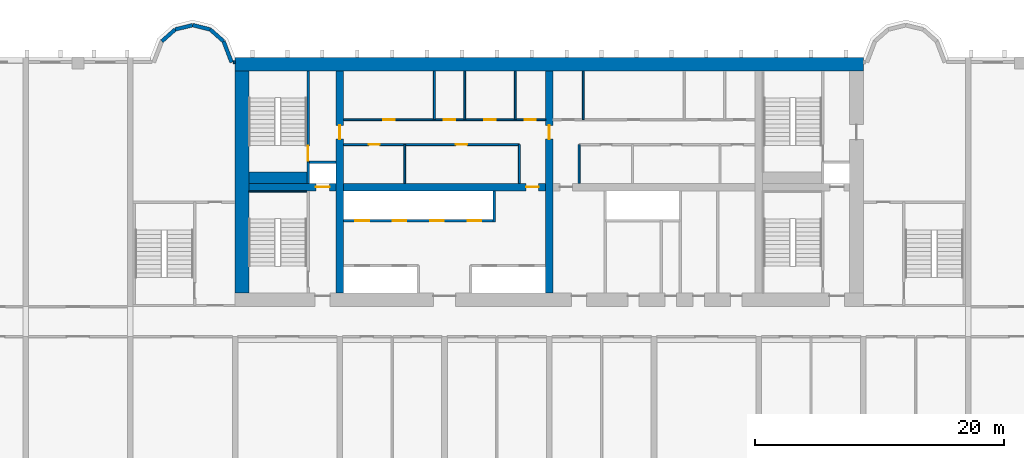
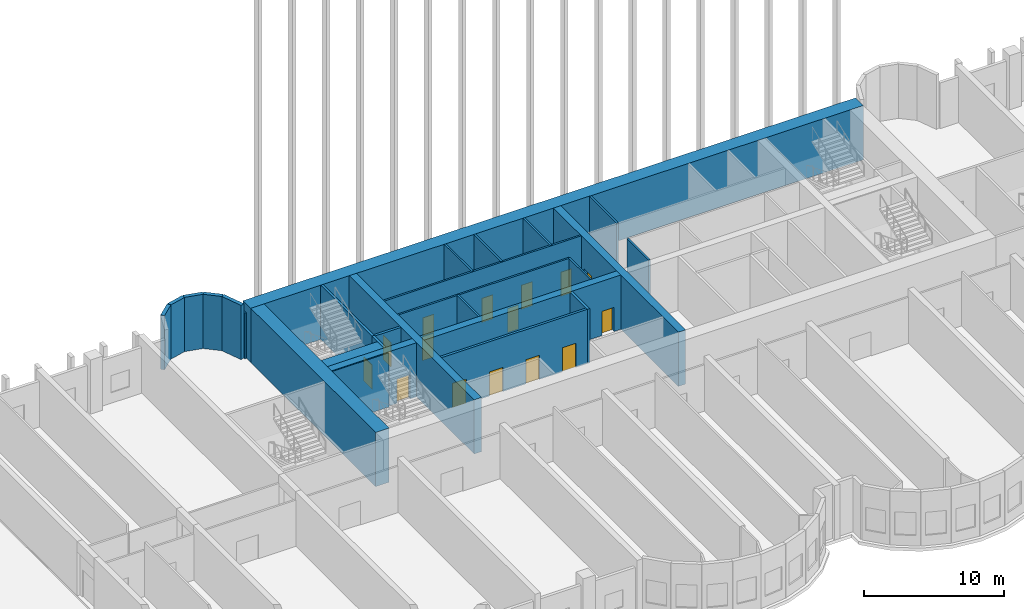
# One storey, part 5 of 11: 28 walls, 15 doors, 15 openings.
"""IFC4 building model written with IfcOpenShell, lengths in metres."""

from ifc_helpers import new_model, si_unit, direction, frame, frame_2d, origin, place, context, subcontext, project, spatial, rectangle, extrude, source, transform, mapped, material, layer, layer_set, type_object, element, fill, save


model = new_model("IFC4")

# Units and contexts
model_context = context("Model", 3, precision=1e-05, world=origin(), true_north=direction((0.0, 1.0)))
body_context = subcontext(model_context, "Body", "Model", "MODEL_VIEW")
ifc_project = project(units=[si_unit("LENGTHUNIT", "METRE"), si_unit("AREAUNIT", "SQUARE_METRE"), si_unit("VOLUMEUNIT", "CUBIC_METRE"), si_unit("PLANEANGLEUNIT", "RADIAN"), si_unit("MASSUNIT", "GRAM", prefix="KILO")], contexts=[model_context])

# Site, building, storey
site_placement = place(None, origin())
site = spatial("IfcSite", under=ifc_project, at=site_placement, CompositionType="ELEMENT")
building_placement = place(site_placement, origin())
building = spatial("IfcBuilding", under=site, at=building_placement, Name="Vanashikhar Sky Hotel", CompositionType="ELEMENT")
storey_placement = place(building_placement, frame((0.0, 0.0, 18.0)))
storey = spatial("IfcBuildingStorey", under=building, at=storey_placement, Name="L03", CompositionType="ELEMENT", Elevation=18.0)

# Walls
ifc_material_1 = material(Name="Concrete M80", Category="concrete")
ifc_layer_1 = layer(ifc_material_1, 1.10009765625)
ifc_layer_set_1 = layer_set([ifc_layer_1], Name="RC core shell wall 1100 Concrete M80")
wall_type_1 = type_object("IfcWallType", Name="RC core shell wall 1100 Concrete M80", PredefinedType="SHEAR", material=ifc_layer_set_1)
shared_shape_1 = source(origin(), body_context, "Body", "SweptSolid", [
    extrude(rectangle(XDim=50.400146484375, YDim=1.10009765625, at=frame_2d((25.2001953125, 0.0))), origin(), (0.0, 0.0, 1.0), 4.719970703125),
])
wall_1_placement = place(storey_placement, frame((25.199951171875, 41.449951171875, 0.0), z_axis=(0.0, 0.0, 1.0), x_axis=(1.0, 0.0, 0.0)))
element("IfcWall", 1, at=wall_1_placement, inside=storey, type_object=wall_type_1, Name="KW-L03-KN", PredefinedType="SHEAR", context=body_context, shape_type="MappedRepresentation", body=[
    mapped(shared_shape_1, transform((0.0, 0.0, 0.0), scale=1.0)),
])
shared_shape_2 = source(origin(), body_context, "Body", "SweptSolid", [
    extrude(rectangle(XDim=17.7998046875, YDim=1.10009765625, at=frame_2d((8.89990234375, 0.0))), origin(), (0.0, 0.0, 1.0), 4.719970703125),
])
wall_2_placement = place(storey_placement, frame((25.75, 23.10009765625, 0.0), z_axis=(0.0, 0.0, 1.0), x_axis=(0.0, 1.0, 0.0)))
element("IfcWall", 2, at=wall_2_placement, inside=storey, type_object=wall_type_1, Name="KW-L03-KW", PredefinedType="SHEAR", context=body_context, shape_type="MappedRepresentation", body=[
    mapped(shared_shape_2, transform((0.0, 0.0, 0.0), scale=1.0)),
])

# Wall, opening, door
ifc_layer_2 = layer(ifc_material_1, 0.60009765625)
ifc_layer_set_2 = layer_set([ifc_layer_2], Name="RC core inner wall 600 Concrete M80")
wall_type_2 = type_object("IfcWallType", Name="RC core inner wall 600 Concrete M80", PredefinedType="SHEAR", material=ifc_layer_set_2)
shared_shape_3 = source(origin(), body_context, "Body", "SweptSolid", [
    extrude(rectangle(XDim=17.7998046875, YDim=0.60009765625, at=frame_2d((8.89990234375, 0.0))), origin(), (0.0, 0.0, 1.0), 4.719970703125),
])
wall_3_placement = place(storey_placement, frame((33.60009765625, 23.10009765625, 0.0), z_axis=(0.0, 0.0, 1.0), x_axis=(0.0, 1.0, 0.0)))
wall_3 = element("IfcWall", 3, at=wall_3_placement, inside=storey, type_object=wall_type_2, Name="KW-L03-KX1", PredefinedType="SHEAR", context=body_context, shape_type="MappedRepresentation", body=[
    mapped(shared_shape_3, transform((0.0, 0.0, 0.0), scale=1.0)),
])
shared_shape_4 = source(origin(), body_context, "Body", "SweptSolid", [
    extrude(rectangle(XDim=1.10009765625, YDim=2.10009765625, at=frame_2d((0.550048828125, 1.050048828125))), frame((0.0, 0.31005859375, 0.0), z_axis=(0.0, -1.0, 0.0), x_axis=(1.0, 0.0, 0.0)), (0.0, 0.0, 1.0), 0.6201171875),
])
opening_1_placement = place(wall_3_placement, frame((12.35009765625, 0.0, 0.0)))
opening_1 = element("IfcOpeningElement", 4, at=opening_1_placement, cuts=wall_3, Name="Opening DC-4-C", PredefinedType="OPENING", context=body_context, shape_type="MappedRepresentation", body=[
    mapped(shared_shape_4, transform((0.0, 0.0, 0.0), scale=1.0)),
])
ifc_material_2 = material(Name="Steel", Category="steel")
door_type_1 = type_object("IfcDoorType", Name="Service door 1100 FD60", OperationType="NOTDEFINED", PredefinedType="DOOR", material=ifc_material_2)
shared_shape_5 = source(origin(), body_context, "Body", "SweptSolid", [
    extrude(rectangle(XDim=1.10009765625, YDim=2.10009765625, at=frame_2d((0.550048828125, 1.050048828125))), frame((0.0, 0.02490234375, 0.0), z_axis=(0.0, -1.0, 0.0), x_axis=(1.0, 0.0, 0.0)), (0.0, 0.0, 1.0), 0.050048828125),
])
door_1_placement = place(opening_1_placement, origin())
door_1 = element("IfcDoor", 5, at=door_1_placement, inside=storey, type_object=door_type_1, Name="Service door 1100 FD60", OperationType="SINGLE_SWING_LEFT", OverallHeight=2.10009765625, OverallWidth=1.10009765625, PredefinedType="DOOR", context=body_context, shape_type="MappedRepresentation", body=[
    mapped(shared_shape_5, transform((0.0, 0.0, 0.0), scale=1.0)),
])
fill(opening_1, door_1)

wall_4_placement = place(storey_placement, frame((50.39990234375, 23.10009765625, 0.0), z_axis=(0.0, 0.0, 1.0), x_axis=(0.0, 1.0, 0.0)))
wall_4 = element("IfcWall", 6, at=wall_4_placement, inside=storey, type_object=wall_type_2, Name="KW-L03-KX2", PredefinedType="SHEAR", context=body_context, shape_type="MappedRepresentation", body=[
    mapped(shared_shape_3, transform((0.0, 0.0, 0.0), scale=1.0)),
])
opening_2_placement = place(wall_4_placement, frame((12.35009765625, 0.0, 0.0)))
opening_2 = element("IfcOpeningElement", 7, at=opening_2_placement, cuts=wall_4, Name="Opening DC-4-C", PredefinedType="OPENING", context=body_context, shape_type="MappedRepresentation", body=[
    mapped(shared_shape_4, transform((0.0, 0.0, 0.0), scale=1.0)),
])
door_2_placement = place(opening_2_placement, origin())
door_2 = element("IfcDoor", 8, at=door_2_placement, inside=storey, type_object=door_type_1, Name="Service door 1100 FD60", OperationType="SINGLE_SWING_RIGHT", OverallHeight=2.10009765625, OverallWidth=1.10009765625, PredefinedType="DOOR", context=body_context, shape_type="MappedRepresentation", body=[
    mapped(shared_shape_5, transform((0.0, 0.0, 0.0), scale=1.0)),
])
fill(opening_2, door_2)

shared_shape_6 = source(origin(), body_context, "Body", "SweptSolid", [
    extrude(rectangle(XDim=7.0, YDim=0.60009765625, at=frame_2d((3.5, 0.0))), origin(), (0.0, 0.0, 1.0), 4.719970703125),
])
wall_5_placement = place(storey_placement, frame((26.300048828125, 31.60009765625, 0.0), z_axis=(0.0, 0.0, 1.0), x_axis=(1.0, 0.0, 0.0)))
wall_5 = element("IfcWall", 9, at=wall_5_placement, inside=storey, type_object=wall_type_2, Name="KW-L03-KY1", PredefinedType="SHEAR", context=body_context, shape_type="MappedRepresentation", body=[
    mapped(shared_shape_6, transform((0.0, 0.0, 0.0), scale=1.0)),
])
opening_3_placement = place(wall_5_placement, frame((5.375, 0.0, 0.0)))
opening_3 = element("IfcOpeningElement", 10, at=opening_3_placement, cuts=wall_5, Name="Opening LD", PredefinedType="OPENING", context=body_context, shape_type="MappedRepresentation", body=[
    mapped(shared_shape_4, transform((0.0, 0.0, 0.0), scale=1.0)),
])
ifc_material_3 = material(Name="Stainless steel", Category="steel")
door_type_2 = type_object("IfcDoorType", Name="Lift landing door 1100", OperationType="NOTDEFINED", PredefinedType="DOOR", material=ifc_material_3)
door_3_placement = place(opening_3_placement, origin())
door_3 = element("IfcDoor", 11, at=door_3_placement, inside=storey, type_object=door_type_2, Name="Lift landing door 1100", OperationType="SLIDING_TO_RIGHT", OverallHeight=2.10009765625, OverallWidth=1.10009765625, PredefinedType="DOOR", context=body_context, shape_type="MappedRepresentation", body=[
    mapped(shared_shape_5, transform((0.0, 0.0, 0.0), scale=1.0)),
])
fill(opening_3, door_3)

shared_shape_7 = source(origin(), body_context, "Body", "SweptSolid", [
    extrude(rectangle(XDim=16.2001953125, YDim=0.60009765625, at=frame_2d((8.10009765625, 0.0))), origin(), (0.0, 0.0, 1.0), 4.719970703125),
])
wall_6_placement = place(storey_placement, frame((33.89990234375, 31.60009765625, 0.0), z_axis=(0.0, 0.0, 1.0), x_axis=(1.0, 0.0, 0.0)))
wall_6 = element("IfcWall", 12, at=wall_6_placement, inside=storey, type_object=wall_type_2, Name="KW-L03-KY2", PredefinedType="SHEAR", context=body_context, shape_type="MappedRepresentation", body=[
    mapped(shared_shape_7, transform((0.0, 0.0, 0.0), scale=1.0)),
])
shared_shape_8 = source(origin(), body_context, "Body", "SweptSolid", [
    extrude(rectangle(XDim=1.0, YDim=2.10009765625, at=frame_2d((0.5, 1.050048828125))), frame((0.0, 0.31005859375, 0.0), z_axis=(0.0, -1.0, 0.0), x_axis=(1.0, 0.0, 0.0)), (0.0, 0.0, 1.0), 0.6201171875),
])
opening_4_placement = place(wall_6_placement, frame((14.64990234375, 0.0, 0.0)))
opening_4 = element("IfcOpeningElement", 13, at=opening_4_placement, cuts=wall_6, Name="Opening DC-4", PredefinedType="OPENING", context=body_context, shape_type="MappedRepresentation", body=[
    mapped(shared_shape_8, transform((0.0, 0.0, 0.0), scale=1.0)),
])
door_type_3 = type_object("IfcDoorType", Name="Service door 1000 FD60", OperationType="NOTDEFINED", PredefinedType="DOOR", material=ifc_material_2)
shared_shape_9 = source(origin(), body_context, "Body", "SweptSolid", [
    extrude(rectangle(XDim=1.0, YDim=2.10009765625, at=frame_2d((0.5, 1.050048828125))), frame((0.0, 0.02490234375, 0.0), z_axis=(0.0, -1.0, 0.0), x_axis=(1.0, 0.0, 0.0)), (0.0, 0.0, 1.0), 0.050048828125),
])
door_4_placement = place(opening_4_placement, origin())
door_4 = element("IfcDoor", 14, at=door_4_placement, inside=storey, type_object=door_type_3, Name="Service door 1000 FD60", OperationType="SINGLE_SWING_RIGHT", OverallHeight=2.10009765625, OverallWidth=1.0, PredefinedType="DOOR", context=body_context, shape_type="MappedRepresentation", body=[
    mapped(shared_shape_9, transform((0.0, 0.0, 0.0), scale=1.0)),
])
fill(opening_4, door_4)

# Walls
ifc_material_4 = material(Name="Concrete M50", Category="concrete")
ifc_layer_3 = layer(ifc_material_4, 0.300048828125)
ifc_layer_set_3 = layer_set([ifc_layer_3], Name="Lobe wall 300")
wall_type_3 = type_object("IfcWallType", Name="Lobe wall 300", PredefinedType="SOLIDWALL", material=ifc_layer_set_3)
shared_shape_10 = source(origin(), body_context, "Body", "SweptSolid", [
    extrude(rectangle(XDim=1.43994140625, YDim=0.300048828125, at=frame_2d((0.719970703125, 0.0))), origin(), (0.0, 0.0, 1.0), 4.719970703125),
])
wall_7_placement = place(storey_placement, frame((20.40283203125, 44.2451171875, 0.0), z_axis=(0.0, 0.0, 1.0), x_axis=(-0.74957555648, -0.661918790432, 0.0)))
element("IfcWall", 15, at=wall_7_placement, inside=storey, type_object=wall_type_3, Name="Lobe wall", PredefinedType="SOLIDWALL", context=body_context, shape_type="MappedRepresentation", body=[
    mapped(shared_shape_10, transform((0.0, 0.0, 0.0), scale=1.0)),
])
shared_shape_11 = source(origin(), body_context, "Body", "SweptSolid", [
    extrude(rectangle(XDim=1.438720703125, YDim=0.300048828125, at=frame_2d((0.71923828125, 0.0))), origin(), (0.0, 0.0, 1.0), 4.719970703125),
])
wall_8_placement = place(storey_placement, frame((21.800048828125, 44.588134765625, 0.0), z_axis=(0.0, 0.0, 1.0), x_axis=(-0.971161932466, -0.238420848351, 0.0)))
element("IfcWall", 16, at=wall_8_placement, inside=storey, type_object=wall_type_3, Name="Lobe wall", PredefinedType="SOLIDWALL", context=body_context, shape_type="MappedRepresentation", body=[
    mapped(shared_shape_11, transform((0.0, 0.0, 0.0), scale=1.0)),
])
ifc_layer_4 = layer(ifc_material_4, 0.25)
ifc_layer_set_4 = layer_set([ifc_layer_4], Name="Rear and end board-marked wall 250")
wall_type_4 = type_object("IfcWallType", Name="Rear and end board-marked wall 250", PredefinedType="SOLIDWALL", material=ifc_layer_set_4)
shared_shape_12 = source(origin(), body_context, "Body", "SweptSolid", [
    extrude(rectangle(XDim=0.137939453125, YDim=0.25, at=frame_2d((0.06884765625, 0.0))), origin(), (0.0, 0.0, 1.0), 3.969970703125),
])
wall_9_placement = place(storey_placement, frame((25.199951171875, 41.625, 0.0), z_axis=(0.0, 0.0, 1.0), x_axis=(-1.0, 0.0, 0.0)))
element("IfcWall", 17, at=wall_9_placement, inside=storey, type_object=wall_type_4, Name="Podium external wall", PredefinedType="SOLIDWALL", context=body_context, shape_type="MappedRepresentation", body=[
    mapped(shared_shape_12, transform((0.0, 0.0, 0.0), scale=1.0)),
])
shared_shape_13 = source(origin(), body_context, "Body", "SweptSolid", [
    extrude(rectangle(XDim=1.811767578125, YDim=0.300048828125, at=frame_2d((0.90576171875, 0.0))), origin(), (0.0, 0.0, 1.0), 4.719970703125),
])
wall_10_placement = place(storey_placement, frame((24.9248046875, 41.60009765625, 0.0), z_axis=(0.0, 0.0, 1.0), x_axis=(-0.357759776872, 0.933813654886, 0.0)))
element("IfcWall", 18, at=wall_10_placement, inside=storey, type_object=wall_type_3, Name="Lobe wall", PredefinedType="SOLIDWALL", context=body_context, shape_type="MappedRepresentation", body=[
    mapped(shared_shape_13, transform((0.0, 0.0, 0.0), scale=1.0)),
])
shared_shape_14 = source(origin(), body_context, "Body", "SweptSolid", [
    extrude(rectangle(XDim=1.440185546875, YDim=0.300048828125, at=frame_2d((0.72021484375, 0.0))), origin(), (0.0, 0.0, 1.0), 4.719970703125),
])
wall_11_placement = place(storey_placement, frame((24.276611328125, 43.2919921875, 0.0), z_axis=(0.0, 0.0, 1.0), x_axis=(-0.749649827867, 0.661834673902, 0.0)))
element("IfcWall", 19, at=wall_11_placement, inside=storey, type_object=wall_type_3, Name="Lobe wall", PredefinedType="SOLIDWALL", context=body_context, shape_type="MappedRepresentation", body=[
    mapped(shared_shape_14, transform((0.0, 0.0, 0.0), scale=1.0)),
])
shared_shape_15 = source(origin(), body_context, "Body", "SweptSolid", [
    extrude(rectangle(XDim=1.4384765625, YDim=0.300048828125, at=frame_2d((0.71923828125, 0.0))), origin(), (0.0, 0.0, 1.0), 4.719970703125),
])
wall_12_placement = place(storey_placement, frame((23.197021484375, 44.2451171875, 0.0), z_axis=(0.0, 0.0, 1.0), x_axis=(-0.971152283879, 0.238460146601, 0.0)))
element("IfcWall", 20, at=wall_12_placement, inside=storey, type_object=wall_type_3, Name="Lobe wall", PredefinedType="SOLIDWALL", context=body_context, shape_type="MappedRepresentation", body=[
    mapped(shared_shape_15, transform((0.0, 0.0, 0.0), scale=1.0)),
])

# Wall, openings, doors
ifc_material_5 = material(Name="Concrete M40", Category="concrete")
ifc_layer_5 = layer(ifc_material_5, 0.199951171875)
ifc_layer_set_5 = layer_set([ifc_layer_5], Name="Shaft wall 200")
wall_type_5 = type_object("IfcWallType", Name="Shaft wall 200", PredefinedType="SOLIDWALL", material=ifc_layer_set_5)
shared_shape_16 = source(origin(), body_context, "Body", "SweptSolid", [
    extrude(rectangle(XDim=12.0, YDim=0.199951171875, at=frame_2d((6.0, 0.0))), origin(), (0.0, 0.0, 1.0), 4.719970703125),
])
wall_13_placement = place(storey_placement, frame((33.89990234375, 28.89990234375, 0.0), z_axis=(0.0, 0.0, 1.0), x_axis=(1.0, 0.0, 0.0)))
wall_13 = element("IfcWall", 21, at=wall_13_placement, inside=storey, type_object=wall_type_5, Name="Shaft wall 200", PredefinedType="SOLIDWALL", context=body_context, shape_type="MappedRepresentation", body=[
    mapped(shared_shape_16, transform((0.0, 0.0, 0.0), scale=1.0)),
])
shared_shape_17 = source(origin(), body_context, "Body", "SweptSolid", [
    extrude(rectangle(XDim=1.10009765625, YDim=2.10009765625, at=frame_2d((0.550048828125, 1.050048828125))), frame((0.0, 0.10986328125, 0.0), z_axis=(0.0, -1.0, 0.0), x_axis=(1.0, 0.0, 0.0)), (0.0, 0.0, 1.0), 0.219970703125),
])
opening_5_placement = place(wall_13_placement, frame((0.949951171875, 0.0, 0.0)))
opening_5 = element("IfcOpeningElement", 22, at=opening_5_placement, cuts=wall_13, Name="Opening LD", PredefinedType="OPENING", context=body_context, shape_type="MappedRepresentation", body=[
    mapped(shared_shape_17, transform((0.0, 0.0, 0.0), scale=1.0)),
])
opening_6_placement = place(wall_13_placement, frame((3.949951171875, 0.0, 0.0)))
opening_6 = element("IfcOpeningElement", 23, at=opening_6_placement, cuts=wall_13, Name="Opening LD", PredefinedType="OPENING", context=body_context, shape_type="MappedRepresentation", body=[
    mapped(shared_shape_17, transform((0.0, 0.0, 0.0), scale=1.0)),
])
opening_7_placement = place(wall_13_placement, frame((6.949951171875, 0.0, 0.0)))
opening_7 = element("IfcOpeningElement", 24, at=opening_7_placement, cuts=wall_13, Name="Opening LD", PredefinedType="OPENING", context=body_context, shape_type="MappedRepresentation", body=[
    mapped(shared_shape_17, transform((0.0, 0.0, 0.0), scale=1.0)),
])
opening_8_placement = place(wall_13_placement, frame((9.949951171875, 0.0, 0.0)))
opening_8 = element("IfcOpeningElement", 25, at=opening_8_placement, cuts=wall_13, Name="Opening LD", PredefinedType="OPENING", context=body_context, shape_type="MappedRepresentation", body=[
    mapped(shared_shape_17, transform((0.0, 0.0, 0.0), scale=1.0)),
])
door_5_placement = place(opening_5_placement, origin())
door_5 = element("IfcDoor", 26, at=door_5_placement, inside=storey, type_object=door_type_2, Name="Lift landing door 1100", OperationType="SLIDING_TO_LEFT", OverallHeight=2.10009765625, OverallWidth=1.10009765625, PredefinedType="DOOR", context=body_context, shape_type="MappedRepresentation", body=[
    mapped(shared_shape_5, transform((0.0, 0.0, 0.0), scale=1.0)),
])
fill(opening_5, door_5)
door_6_placement = place(opening_6_placement, origin())
door_6 = element("IfcDoor", 27, at=door_6_placement, inside=storey, type_object=door_type_2, Name="Lift landing door 1100", OperationType="SLIDING_TO_RIGHT", OverallHeight=2.10009765625, OverallWidth=1.10009765625, PredefinedType="DOOR", context=body_context, shape_type="MappedRepresentation", body=[
    mapped(shared_shape_5, transform((0.0, 0.0, 0.0), scale=1.0)),
])
fill(opening_6, door_6)
door_7_placement = place(opening_7_placement, origin())
door_7 = element("IfcDoor", 28, at=door_7_placement, inside=storey, type_object=door_type_2, Name="Lift landing door 1100", OperationType="SLIDING_TO_LEFT", OverallHeight=2.10009765625, OverallWidth=1.10009765625, PredefinedType="DOOR", context=body_context, shape_type="MappedRepresentation", body=[
    mapped(shared_shape_5, transform((0.0, 0.0, 0.0), scale=1.0)),
])
fill(opening_7, door_7)
door_8_placement = place(opening_8_placement, origin())
door_8 = element("IfcDoor", 29, at=door_8_placement, inside=storey, type_object=door_type_2, Name="Lift landing door 1100", OperationType="SLIDING_TO_RIGHT", OverallHeight=2.10009765625, OverallWidth=1.10009765625, PredefinedType="DOOR", context=body_context, shape_type="MappedRepresentation", body=[
    mapped(shared_shape_5, transform((0.0, 0.0, 0.0), scale=1.0)),
])
fill(opening_8, door_8)

# Walls
shared_shape_18 = source(origin(), body_context, "Body", "SweptSolid", [
    extrude(rectangle(XDim=2.5, YDim=0.199951171875, at=frame_2d((1.25, 0.0))), origin(), (0.0, 0.0, 1.0), 4.719970703125),
])
wall_14_placement = place(storey_placement, frame((46.0, 28.800048828125, 0.0), z_axis=(0.0, 0.0, 1.0), x_axis=(0.0, 1.0, 0.0)))
element("IfcWall", 30, at=wall_14_placement, inside=storey, type_object=wall_type_5, Name="Shaft wall 200", PredefinedType="SOLIDWALL", context=body_context, shape_type="MappedRepresentation", body=[
    mapped(shared_shape_18, transform((0.0, 0.0, 0.0), scale=1.0)),
])
ifc_material_6 = material(Name="Gypsum board partition")
ifc_layer_6 = layer(ifc_material_6, 0.14990234375)
ifc_layer_set_6 = layer_set([ifc_layer_6], Name="Service partition 150")
wall_type_6 = type_object("IfcWallType", Name="Service partition 150", PredefinedType="PARTITIONING", material=ifc_layer_set_6)
shared_shape_19 = source(origin(), body_context, "Body", "SweptSolid", [
    extrude(rectangle(XDim=3.10009765625, YDim=0.14990234375, at=frame_2d((1.550048828125, 0.0))), origin(), (0.0, 0.0, 1.0), 4.719970703125),
])
for number, where, z_axis, x_axis, name in (
    (31, (48.0, 31.89990234375, 0.0), (0.0, 0.0, 1.0), (0.0, 1.0, 0.0), "Service partition 150"),
    (32, (38.80908203125, 31.89990234375, 0.0), (0.0, 0.0, 1.0), (0.0, 1.0, 0.0), "Service partition 150"),
    (33, (52.800048828125, 31.89990234375, 0.0), (0.0, 0.0, 1.0), (0.0, 1.0, 0.0), "Service partition 150"),
):
    element("IfcWall", number, at=place(storey_placement, frame(where, z_axis=z_axis, x_axis=x_axis)), inside=storey, type_object=wall_type_6, Name=name, PredefinedType="PARTITIONING", context=body_context, shape_type="MappedRepresentation", body=[
        mapped(shared_shape_19, transform((0.0, 0.0, 0.0), scale=1.0)),
    ])

# Wall, openings, doors
shared_shape_20 = source(origin(), body_context, "Body", "SweptSolid", [
    extrude(rectangle(XDim=14.10009765625, YDim=0.14990234375, at=frame_2d((7.050048828125, 0.0))), origin(), (0.0, 0.0, 1.0), 4.719970703125),
])
wall_15_placement = place(storey_placement, frame((33.89990234375, 35.0, 0.0), z_axis=(0.0, 0.0, 1.0), x_axis=(1.0, 0.0, 0.0)))
wall_15 = element("IfcWall", 34, at=wall_15_placement, inside=storey, type_object=wall_type_6, Name="Service partition 150", PredefinedType="PARTITIONING", context=body_context, shape_type="MappedRepresentation", body=[
    mapped(shared_shape_20, transform((0.0, 0.0, 0.0), scale=1.0)),
])
shared_shape_21 = source(origin(), body_context, "Body", "SweptSolid", [
    extrude(rectangle(XDim=0.89990234375, YDim=2.10009765625, at=frame_2d((0.449951171875, 1.050048828125))), frame((0.0, 0.0849609375, 0.0), z_axis=(0.0, -1.0, 0.0), x_axis=(1.0, 0.0, 0.0)), (0.0, 0.0, 1.0), 0.169921875),
])
opening_9_placement = place(wall_15_placement, frame((2.00390625, 0.0, 0.0)))
opening_9 = element("IfcOpeningElement", 35, at=opening_9_placement, cuts=wall_15, Name="Opening DC-4-A", PredefinedType="OPENING", context=body_context, shape_type="MappedRepresentation", body=[
    mapped(shared_shape_21, transform((0.0, 0.0, 0.0), scale=1.0)),
])
opening_10_placement = place(wall_15_placement, frame((9.01708984375, 0.0, 0.0)))
opening_10 = element("IfcOpeningElement", 36, at=opening_10_placement, cuts=wall_15, Name="Opening DC-4-A", PredefinedType="OPENING", context=body_context, shape_type="MappedRepresentation", body=[
    mapped(shared_shape_21, transform((0.0, 0.0, 0.0), scale=1.0)),
])
door_type_4 = type_object("IfcDoorType", Name="Service door 900 FD60", OperationType="NOTDEFINED", PredefinedType="DOOR", material=ifc_material_2)
shared_shape_22 = source(origin(), body_context, "Body", "SweptSolid", [
    extrude(rectangle(XDim=0.89990234375, YDim=2.10009765625, at=frame_2d((0.449951171875, 1.050048828125))), frame((0.0, 0.02490234375, 0.0), z_axis=(0.0, -1.0, 0.0), x_axis=(1.0, 0.0, 0.0)), (0.0, 0.0, 1.0), 0.050048828125),
])
door_9_placement = place(opening_9_placement, origin())
door_9 = element("IfcDoor", 37, at=door_9_placement, inside=storey, type_object=door_type_4, Name="Service door 900 FD60", OperationType="SINGLE_SWING_LEFT", OverallHeight=2.10009765625, OverallWidth=0.89990234375, PredefinedType="DOOR", context=body_context, shape_type="MappedRepresentation", body=[
    mapped(shared_shape_22, transform((0.0, 0.0, 0.0), scale=1.0)),
])
fill(opening_9, door_9)
door_10_placement = place(opening_10_placement, origin())
door_10 = element("IfcDoor", 38, at=door_10_placement, inside=storey, type_object=door_type_4, Name="Service door 900 FD60", OperationType="SINGLE_SWING_RIGHT", OverallHeight=2.10009765625, OverallWidth=0.89990234375, PredefinedType="DOOR", context=body_context, shape_type="MappedRepresentation", body=[
    mapped(shared_shape_22, transform((0.0, 0.0, 0.0), scale=1.0)),
])
fill(opening_10, door_10)

shared_shape_23 = source(origin(), body_context, "Body", "SweptSolid", [
    extrude(rectangle(XDim=16.2001953125, YDim=0.14990234375, at=frame_2d((8.10009765625, 0.0))), origin(), (0.0, 0.0, 1.0), 4.719970703125),
])
wall_16_placement = place(storey_placement, frame((33.89990234375, 37.0, 0.0), z_axis=(0.0, 0.0, 1.0), x_axis=(1.0, 0.0, 0.0)))
wall_16 = element("IfcWall", 39, at=wall_16_placement, inside=storey, type_object=wall_type_6, Name="Service partition 150", PredefinedType="PARTITIONING", context=body_context, shape_type="MappedRepresentation", body=[
    mapped(shared_shape_23, transform((0.0, 0.0, 0.0), scale=1.0)),
])
opening_11_placement = place(wall_16_placement, frame((3.195068359375, 0.0, 0.0)))
opening_11 = element("IfcOpeningElement", 40, at=opening_11_placement, cuts=wall_16, Name="Opening DC-4-A", PredefinedType="OPENING", context=body_context, shape_type="MappedRepresentation", body=[
    mapped(shared_shape_21, transform((0.0, 0.0, 0.0), scale=1.0)),
])
opening_12_placement = place(wall_16_placement, frame((8.054931640625, 0.0, 0.0)))
opening_12 = element("IfcOpeningElement", 41, at=opening_12_placement, cuts=wall_16, Name="Opening DC-4-A", PredefinedType="OPENING", context=body_context, shape_type="MappedRepresentation", body=[
    mapped(shared_shape_21, transform((0.0, 0.0, 0.0), scale=1.0)),
])
opening_13_placement = place(wall_16_placement, frame((11.294921875, 0.0, 0.0)))
opening_13 = element("IfcOpeningElement", 42, at=opening_13_placement, cuts=wall_16, Name="Opening DC-4-A", PredefinedType="OPENING", context=body_context, shape_type="MappedRepresentation", body=[
    mapped(shared_shape_21, transform((0.0, 0.0, 0.0), scale=1.0)),
])
opening_14_placement = place(wall_16_placement, frame((14.534912109375, 0.0, 0.0)))
opening_14 = element("IfcOpeningElement", 43, at=opening_14_placement, cuts=wall_16, Name="Opening DC-4-A", PredefinedType="OPENING", context=body_context, shape_type="MappedRepresentation", body=[
    mapped(shared_shape_21, transform((0.0, 0.0, 0.0), scale=1.0)),
])
door_11_placement = place(opening_11_placement, origin())
door_11 = element("IfcDoor", 44, at=door_11_placement, inside=storey, type_object=door_type_4, Name="Service door 900 FD60", OperationType="SINGLE_SWING_RIGHT", OverallHeight=2.10009765625, OverallWidth=0.89990234375, PredefinedType="DOOR", context=body_context, shape_type="MappedRepresentation", body=[
    mapped(shared_shape_22, transform((0.0, 0.0, 0.0), scale=1.0)),
])
fill(opening_11, door_11)
door_12_placement = place(opening_12_placement, origin())
door_12 = element("IfcDoor", 45, at=door_12_placement, inside=storey, type_object=door_type_4, Name="Service door 900 FD60", OperationType="SINGLE_SWING_RIGHT", OverallHeight=2.10009765625, OverallWidth=0.89990234375, PredefinedType="DOOR", context=body_context, shape_type="MappedRepresentation", body=[
    mapped(shared_shape_22, transform((0.0, 0.0, 0.0), scale=1.0)),
])
fill(opening_12, door_12)
door_13_placement = place(opening_13_placement, origin())
door_13 = element("IfcDoor", 46, at=door_13_placement, inside=storey, type_object=door_type_4, Name="Service door 900 FD60", OperationType="SINGLE_SWING_LEFT", OverallHeight=2.10009765625, OverallWidth=0.89990234375, PredefinedType="DOOR", context=body_context, shape_type="MappedRepresentation", body=[
    mapped(shared_shape_22, transform((0.0, 0.0, 0.0), scale=1.0)),
])
fill(opening_13, door_13)
door_14_placement = place(opening_14_placement, origin())
door_14 = element("IfcDoor", 47, at=door_14_placement, inside=storey, type_object=door_type_4, Name="Service door 900 FD60", OperationType="SINGLE_SWING_LEFT", OverallHeight=2.10009765625, OverallWidth=0.89990234375, PredefinedType="DOOR", context=body_context, shape_type="MappedRepresentation", body=[
    mapped(shared_shape_22, transform((0.0, 0.0, 0.0), scale=1.0)),
])
fill(opening_14, door_14)

# Walls
shared_shape_24 = source(origin(), body_context, "Body", "SweptSolid", [
    extrude(rectangle(XDim=3.89990234375, YDim=0.14990234375, at=frame_2d((1.949951171875, 0.0))), origin(), (0.0, 0.0, 1.0), 4.719970703125),
])
for number, where, z_axis, x_axis, name in (
    (48, (41.18994140625, 37.0, 0.0), (0.0, 0.0, 1.0), (0.0, 1.0, 0.0), "Service partition 150"),
    (49, (43.6201171875, 37.0, 0.0), (0.0, 0.0, 1.0), (0.0, 1.0, 0.0), "Service partition 150"),
    (50, (47.669921875, 37.0, 0.0), (0.0, 0.0, 1.0), (0.0, 1.0, 0.0), "Service partition 150"),
    (51, (53.1298828125, 37.0, 0.0), (0.0, 0.0, 1.0), (0.0, 1.0, 0.0), "Service partition 150"),
):
    element("IfcWall", number, at=place(storey_placement, frame(where, z_axis=z_axis, x_axis=x_axis)), inside=storey, type_object=wall_type_6, Name=name, PredefinedType="PARTITIONING", context=body_context, shape_type="MappedRepresentation", body=[
        mapped(shared_shape_24, transform((0.0, 0.0, 0.0), scale=1.0)),
    ])
shared_shape_25 = source(origin(), body_context, "Body", "SweptSolid", [
    extrude(rectangle(XDim=1.7001953125, YDim=0.199951171875, at=frame_2d((0.85009765625, 0.0))), origin(), (0.0, 0.0, 1.0), 4.719970703125),
])
wall_17_placement = place(storey_placement, frame((31.050048828125, 31.89990234375, 0.0), z_axis=(0.0, 0.0, 1.0), x_axis=(0.0, 1.0, 0.0)))
element("IfcWall", 52, at=wall_17_placement, inside=storey, type_object=wall_type_5, Name="Shaft wall 200", PredefinedType="SOLIDWALL", context=body_context, shape_type="MappedRepresentation", body=[
    mapped(shared_shape_25, transform((0.0, 0.0, 0.0), scale=1.0)),
])
shared_shape_26 = source(origin(), body_context, "Body", "SweptSolid", [
    extrude(rectangle(XDim=2.150146484375, YDim=0.199951171875, at=frame_2d((1.0751953125, 0.0))), origin(), (0.0, 0.0, 1.0), 4.719970703125),
])
wall_18_placement = place(storey_placement, frame((31.14990234375, 33.60009765625, 0.0), z_axis=(0.0, 0.0, 1.0), x_axis=(1.0, 0.0, 0.0)))
element("IfcWall", 53, at=wall_18_placement, inside=storey, type_object=wall_type_5, Name="Shaft wall 200", PredefinedType="SOLIDWALL", context=body_context, shape_type="MappedRepresentation", body=[
    mapped(shared_shape_26, transform((0.0, 0.0, 0.0), scale=1.0)),
])

# Wall, opening, door
ifc_layer_7 = layer(ifc_material_4, 0.199951171875)
ifc_layer_set_7 = layer_set([ifc_layer_7], Name="Stair wall 200")
wall_type_7 = type_object("IfcWallType", Name="Stair wall 200", PredefinedType="SOLIDWALL", material=ifc_layer_set_7)
shared_shape_27 = source(origin(), body_context, "Body", "SweptSolid", [
    extrude(rectangle(XDim=7.2998046875, YDim=0.199951171875, at=frame_2d((3.64990234375, 0.0))), origin(), (0.0, 0.0, 1.0), 4.719970703125),
])
wall_19_placement = place(storey_placement, frame((31.050048828125, 33.60009765625, 0.0), z_axis=(0.0, 0.0, 1.0), x_axis=(0.0, 1.0, 0.0)))
wall_19 = element("IfcWall", 54, at=wall_19_placement, inside=storey, type_object=wall_type_7, Name="Stair wall 200", PredefinedType="SOLIDWALL", context=body_context, shape_type="MappedRepresentation", body=[
    mapped(shared_shape_27, transform((0.0, 0.0, 0.0), scale=1.0)),
])
shared_shape_28 = source(origin(), body_context, "Body", "SweptSolid", [
    extrude(rectangle(XDim=1.199951171875, YDim=2.10009765625, at=frame_2d((0.60009765625, 1.050048828125))), frame((0.0, 0.10986328125, 0.0), z_axis=(0.0, -1.0, 0.0), x_axis=(1.0, 0.0, 0.0)), (0.0, 0.0, 1.0), 0.219970703125),
])
opening_15_placement = place(wall_19_placement, frame((0.10009765625, 0.0, 0.0)))
opening_15 = element("IfcOpeningElement", 55, at=opening_15_placement, cuts=wall_19, Name="Opening DC-1", PredefinedType="OPENING", context=body_context, shape_type="MappedRepresentation", body=[
    mapped(shared_shape_28, transform((0.0, 0.0, 0.0), scale=1.0)),
])
door_type_5 = type_object("IfcDoorType", Name="Stair door 1200 FD120", OperationType="NOTDEFINED", PredefinedType="DOOR", material=ifc_material_2)
shared_shape_29 = source(origin(), body_context, "Body", "SweptSolid", [
    extrude(rectangle(XDim=1.199951171875, YDim=2.10009765625, at=frame_2d((0.60009765625, 1.050048828125))), frame((0.0, 0.02490234375, 0.0), z_axis=(0.0, -1.0, 0.0), x_axis=(1.0, 0.0, 0.0)), (0.0, 0.0, 1.0), 0.050048828125),
])
door_15_placement = place(opening_15_placement, origin())
door_15 = element("IfcDoor", 56, at=door_15_placement, inside=storey, type_object=door_type_5, Name="Stair door 1200 FD120", OperationType="SINGLE_SWING_RIGHT", OverallHeight=2.10009765625, OverallWidth=1.199951171875, PredefinedType="DOOR", context=body_context, shape_type="MappedRepresentation", body=[
    mapped(shared_shape_29, transform((0.0, 0.0, 0.0), scale=1.0)),
])
fill(opening_15, door_15)

# Walls
ifc_layer_8 = layer(ifc_material_4, 0.10009765625)
ifc_layer_set_8 = layer_set([ifc_layer_8], Name="Stair infill wall 100")
wall_type_8 = type_object("IfcWallType", Name="Stair infill wall 100", PredefinedType="SOLIDWALL", material=ifc_layer_set_8)
shared_shape_30 = source(origin(), body_context, "Body", "SweptSolid", [
    extrude(rectangle(XDim=4.64990234375, YDim=0.10009765625, at=frame_2d((2.324951171875, 0.0))), origin(), (0.0, 0.0, 1.0), 4.719970703125),
])
wall_20_placement = place(storey_placement, frame((26.300048828125, 31.25, 0.0), z_axis=(0.0, 0.0, 1.0), x_axis=(1.0, 0.0, 0.0)))
element("IfcWall", 57, at=wall_20_placement, inside=storey, type_object=wall_type_8, Name="Stair infill wall 100", PredefinedType="SOLIDWALL", context=body_context, shape_type="MappedRepresentation", body=[
    mapped(shared_shape_30, transform((0.0, 0.0, 0.0), scale=1.0)),
])
ifc_layer_9 = layer(ifc_material_4, 0.89990234375)
ifc_layer_set_9 = layer_set([ifc_layer_9], Name="Stair infill wall 900")
wall_type_9 = type_object("IfcWallType", Name="Stair infill wall 900", PredefinedType="SOLIDWALL", material=ifc_layer_set_9)
shared_shape_31 = source(origin(), body_context, "Body", "SweptSolid", [
    extrude(rectangle(XDim=4.64990234375, YDim=0.89990234375, at=frame_2d((2.324951171875, 0.0))), origin(), (0.0, 0.0, 1.0), 4.719970703125),
])
wall_21_placement = place(storey_placement, frame((26.300048828125, 32.35009765625, 0.0), z_axis=(0.0, 0.0, 1.0), x_axis=(1.0, 0.0, 0.0)))
element("IfcWall", 58, at=wall_21_placement, inside=storey, type_object=wall_type_9, Name="Stair infill wall 900", PredefinedType="SOLIDWALL", context=body_context, shape_type="MappedRepresentation", body=[
    mapped(shared_shape_31, transform((0.0, 0.0, 0.0), scale=1.0)),
])

save(model, "model.ifc")
